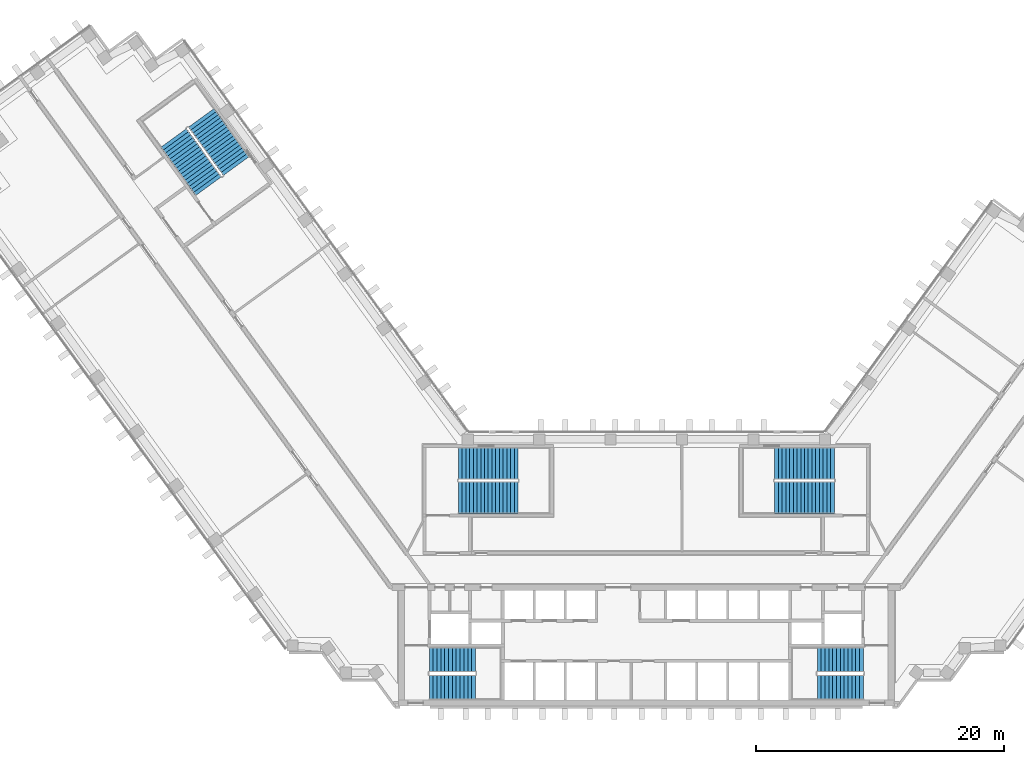
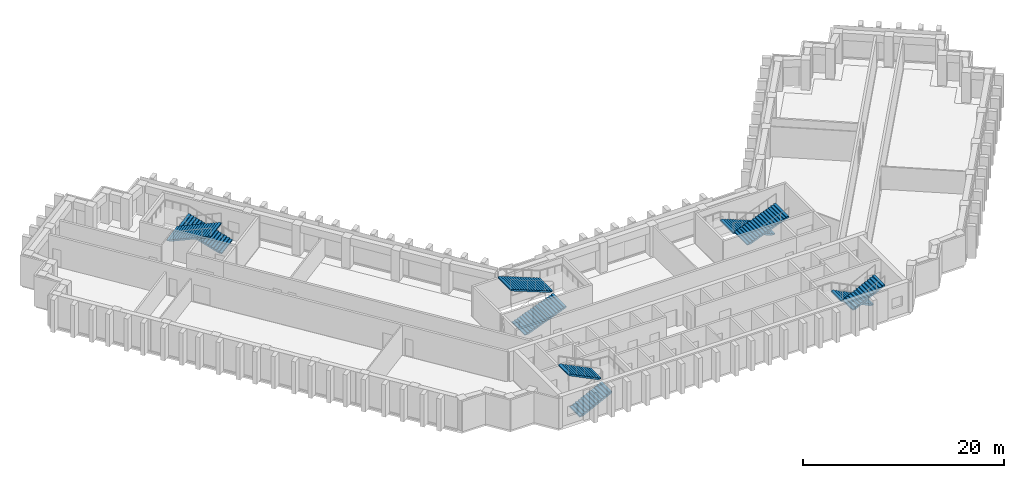
# One storey, part 9 of 11: 10 stair flights, 5 elements without a shape of their own.
"""IFC4 building model written with IfcOpenShell, lengths in metres."""

from ifc_helpers import new_model, si_unit, direction, frame, origin, place, context, subcontext, project, spatial, polyline, outline, extrude, material, type_object, element, aggregate, save


model = new_model("IFC4")

# Units and contexts
model_context = context("Model", 3, precision=1e-05, world=origin(), true_north=direction((0.0, 1.0)))
body_context = subcontext(model_context, "Body", "Model", "MODEL_VIEW")
ifc_project = project(units=[si_unit("LENGTHUNIT", "METRE"), si_unit("AREAUNIT", "SQUARE_METRE"), si_unit("VOLUMEUNIT", "CUBIC_METRE"), si_unit("PLANEANGLEUNIT", "RADIAN"), si_unit("MASSUNIT", "GRAM", prefix="KILO")], contexts=[model_context])

# Site, building, storey
site_placement = place(None, origin())
site = spatial("IfcSite", under=ifc_project, at=site_placement, CompositionType="ELEMENT")
building_placement = place(site_placement, origin())
building = spatial("IfcBuilding", under=site, at=building_placement, Name="Quipu Civic Tower", CompositionType="ELEMENT")
storey_placement = place(building_placement, frame((0.0, 0.0, 117.0)))
storey = spatial("IfcBuildingStorey", under=building, at=storey_placement, Name="L27", CompositionType="ELEMENT", Elevation=117.0)

# Stair, stair flights
ifc_material_1 = material(Name="Concrete C40/50", Category="concrete")
stair_type_1 = type_object("IfcStairType", Name="Half turn stair 2000", PredefinedType="HALF_TURN_STAIR", material=ifc_material_1)
stair_1_placement = place(storey_placement, origin())
stair_1 = element("IfcStair", 1, at=stair_1_placement, inside=storey, type_object=stair_type_1, Name="Exit stair 1", PredefinedType="HALF_TURN_STAIR")
ifc_material_2 = material(Name="Concrete C40/50", Category="concrete")
stair_flight_type_1 = type_object("IfcStairFlightType", Name="Stair flight 2000", PredefinedType="STRAIGHT", material=ifc_material_2)
stair_flight_1_placement = place(storey_placement, frame((-17.5, -9.5, 0.0), z_axis=(0.0, 0.0, 1.0), x_axis=(1.0, 0.0, 0.0)))
stair_flight_1 = element("IfcStairFlight", 2, at=stair_flight_1_placement, type_object=stair_flight_type_1, Name="ST-1 flight 1", NumberOfRisers=13, NumberOfTreads=12, PredefinedType="STRAIGHT", RiserHeight=0.153846154, TreadLength=0.31, context=body_context, shape_type="SweptSolid", body=[
    extrude(outline(polyline([(0.0, 0.0), (0.0, 0.15380859375), (0.31005859375, 0.15380859375), (0.31005859375, 0.3076171875), (0.6201171875, 0.3076171875), (0.6201171875, 0.46142578125), (0.929931640625, 0.46142578125), (0.929931640625, 0.615478515625), (1.239990234375, 0.615478515625), (1.239990234375, 0.769287109375), (1.550048828125, 0.769287109375), (1.550048828125, 0.923095703125), (1.860107421875, 0.923095703125), (1.860107421875, 1.076904296875), (2.169921875, 1.076904296875), (2.169921875, 1.230712890625), (2.47998046875, 1.230712890625), (2.47998046875, 1.384521484375), (2.7900390625, 1.384521484375), (2.7900390625, 1.53857421875), (3.10009765625, 1.53857421875), (3.10009765625, 1.6923828125), (3.409912109375, 1.6923828125), (3.409912109375, 1.84619140625), (3.719970703125, 1.84619140625), (3.719970703125, 2.0), (3.719970703125, 1.6787109375), (0.337158203125, 0.0), (0.0, 0.0)])), frame((0.0, 1.0, 0.0), z_axis=(0.0, -1.0, 0.0), x_axis=(1.0, 0.0, 0.0)), (0.0, 0.0, 1.0), 2.0),
])
stair_flight_2_placement = place(storey_placement, frame((-13.780029296875, -7.25, 2.0), z_axis=(0.0, 0.0, 1.0), x_axis=(-1.0, 0.0, 0.0)))
stair_flight_2 = element("IfcStairFlight", 3, at=stair_flight_2_placement, type_object=stair_flight_type_1, Name="ST-1 flight 2", NumberOfRisers=13, NumberOfTreads=12, PredefinedType="STRAIGHT", RiserHeight=0.153846154, TreadLength=0.31, context=body_context, shape_type="SweptSolid", body=[
    extrude(outline(polyline([(0.0, 0.0), (0.0, 0.15380859375), (0.31005859375, 0.15380859375), (0.31005859375, 0.3076171875), (0.6201171875, 0.3076171875), (0.6201171875, 0.46142578125), (0.929931640625, 0.46142578125), (0.929931640625, 0.615478515625), (1.239990234375, 0.615478515625), (1.239990234375, 0.769287109375), (1.550048828125, 0.769287109375), (1.550048828125, 0.923095703125), (1.860107421875, 0.923095703125), (1.860107421875, 1.076904296875), (2.169921875, 1.076904296875), (2.169921875, 1.230712890625), (2.47998046875, 1.230712890625), (2.47998046875, 1.384521484375), (2.7900390625, 1.384521484375), (2.7900390625, 1.53857421875), (3.10009765625, 1.53857421875), (3.10009765625, 1.6923828125), (3.409912109375, 1.6923828125), (3.409912109375, 1.84619140625), (3.719970703125, 1.84619140625), (3.719970703125, 2.0), (3.719970703125, 1.6787109375), (0.337158203125, 0.0), (0.0, 0.0)])), frame((0.0, 1.0, 0.0), z_axis=(0.0, -1.0, 0.0), x_axis=(1.0, 0.0, 0.0)), (0.0, 0.0, 1.0), 2.0),
])
aggregate(stair_1, [stair_flight_1, stair_flight_2])

stair_2_placement = place(storey_placement, origin())
stair_2 = element("IfcStair", 4, at=stair_2_placement, inside=storey, type_object=stair_type_1, Name="Exit stair 2", PredefinedType="HALF_TURN_STAIR")
stair_flight_3_placement = place(storey_placement, frame((17.5, -7.25, 0.0), z_axis=(0.0, 0.0, 1.0), x_axis=(-1.0, 0.0, 0.0)))
stair_flight_3 = element("IfcStairFlight", 5, at=stair_flight_3_placement, type_object=stair_flight_type_1, Name="ST-2 flight 1", NumberOfRisers=13, NumberOfTreads=12, PredefinedType="STRAIGHT", RiserHeight=0.153846154, TreadLength=0.31, context=body_context, shape_type="SweptSolid", body=[
    extrude(outline(polyline([(0.0, 0.0), (0.0, 0.15380859375), (0.31005859375, 0.15380859375), (0.31005859375, 0.3076171875), (0.6201171875, 0.3076171875), (0.6201171875, 0.46142578125), (0.929931640625, 0.46142578125), (0.929931640625, 0.615478515625), (1.239990234375, 0.615478515625), (1.239990234375, 0.769287109375), (1.550048828125, 0.769287109375), (1.550048828125, 0.923095703125), (1.860107421875, 0.923095703125), (1.860107421875, 1.076904296875), (2.169921875, 1.076904296875), (2.169921875, 1.230712890625), (2.47998046875, 1.230712890625), (2.47998046875, 1.384521484375), (2.7900390625, 1.384521484375), (2.7900390625, 1.53857421875), (3.10009765625, 1.53857421875), (3.10009765625, 1.6923828125), (3.409912109375, 1.6923828125), (3.409912109375, 1.84619140625), (3.719970703125, 1.84619140625), (3.719970703125, 2.0), (3.719970703125, 1.6787109375), (0.337158203125, 0.0), (0.0, 0.0)])), frame((0.0, 1.0, 0.0), z_axis=(0.0, -1.0, 0.0), x_axis=(1.0, 0.0, 0.0)), (0.0, 0.0, 1.0), 2.0),
])
stair_flight_4_placement = place(storey_placement, frame((13.780029296875, -9.5, 2.0), z_axis=(0.0, 0.0, 1.0), x_axis=(1.0, 0.0, 0.0)))
stair_flight_4 = element("IfcStairFlight", 6, at=stair_flight_4_placement, type_object=stair_flight_type_1, Name="ST-2 flight 2", NumberOfRisers=13, NumberOfTreads=12, PredefinedType="STRAIGHT", RiserHeight=0.153846154, TreadLength=0.31, context=body_context, shape_type="SweptSolid", body=[
    extrude(outline(polyline([(0.0, 0.0), (0.0, 0.15380859375), (0.31005859375, 0.15380859375), (0.31005859375, 0.3076171875), (0.6201171875, 0.3076171875), (0.6201171875, 0.46142578125), (0.929931640625, 0.46142578125), (0.929931640625, 0.615478515625), (1.239990234375, 0.615478515625), (1.239990234375, 0.769287109375), (1.550048828125, 0.769287109375), (1.550048828125, 0.923095703125), (1.860107421875, 0.923095703125), (1.860107421875, 1.076904296875), (2.169921875, 1.076904296875), (2.169921875, 1.230712890625), (2.47998046875, 1.230712890625), (2.47998046875, 1.384521484375), (2.7900390625, 1.384521484375), (2.7900390625, 1.53857421875), (3.10009765625, 1.53857421875), (3.10009765625, 1.6923828125), (3.409912109375, 1.6923828125), (3.409912109375, 1.84619140625), (3.719970703125, 1.84619140625), (3.719970703125, 2.0), (3.719970703125, 1.6787109375), (0.337158203125, 0.0), (0.0, 0.0)])), frame((0.0, 1.0, 0.0), z_axis=(0.0, -1.0, 0.0), x_axis=(1.0, 0.0, 0.0)), (0.0, 0.0, 1.0), 2.0),
])
aggregate(stair_2, [stair_flight_3, stair_flight_4])

ifc_material_3 = material(Name="Concrete C40/50", Category="concrete")
stair_type_2 = type_object("IfcStairType", Name="Half turn stair 2600", PredefinedType="HALF_TURN_STAIR", material=ifc_material_3)
stair_3_placement = place(storey_placement, origin())
stair_3 = element("IfcStair", 7, at=stair_3_placement, inside=storey, type_object=stair_type_2, Name="Exit stair 3", PredefinedType="HALF_TURN_STAIR")
ifc_material_4 = material(Name="Concrete C40/50", Category="concrete")
stair_flight_type_2 = type_object("IfcStairFlightType", Name="Stair flight 2600", PredefinedType="STRAIGHT", material=ifc_material_4)
stair_flight_5_placement = place(storey_placement, frame((-15.14990234375, 5.800048828125, 0.0), z_axis=(0.0, 0.0, 1.0), x_axis=(1.0, 0.0, 0.0)))
stair_flight_5 = element("IfcStairFlight", 8, at=stair_flight_5_placement, type_object=stair_flight_type_2, Name="ST-3 flight 1", NumberOfRisers=17, NumberOfTreads=16, PredefinedType="STRAIGHT", RiserHeight=0.117647059, TreadLength=0.3, context=body_context, shape_type="SweptSolid", body=[
    extrude(outline(polyline([(0.0, 0.0), (0.0, 0.11767578125), (0.300048828125, 0.11767578125), (0.300048828125, 0.2353515625), (0.60009765625, 0.2353515625), (0.60009765625, 0.35302734375), (0.89990234375, 0.35302734375), (0.89990234375, 0.470703125), (1.199951171875, 0.470703125), (1.199951171875, 0.588134765625), (1.5, 0.588134765625), (1.5, 0.705810546875), (1.800048828125, 0.705810546875), (1.800048828125, 0.823486328125), (2.10009765625, 0.823486328125), (2.10009765625, 0.941162109375), (2.39990234375, 0.941162109375), (2.39990234375, 1.058837890625), (2.699951171875, 1.058837890625), (2.699951171875, 1.176513671875), (3.0, 1.176513671875), (3.0, 1.294189453125), (3.300048828125, 1.294189453125), (3.300048828125, 1.411865234375), (3.60009765625, 1.411865234375), (3.60009765625, 1.529296875), (3.89990234375, 1.529296875), (3.89990234375, 1.64697265625), (4.199951171875, 1.64697265625), (4.199951171875, 1.7646484375), (4.5, 1.7646484375), (4.5, 1.88232421875), (4.800048828125, 1.88232421875), (4.800048828125, 2.0), (4.800048828125, 1.721435546875), (0.41064453125, 0.0), (0.0, 0.0)])), frame((0.0, 1.300048828125, 0.0), z_axis=(0.0, -1.0, 0.0), x_axis=(1.0, 0.0, 0.0)), (0.0, 0.0, 1.0), 2.60009765625),
])
stair_flight_6_placement = place(storey_placement, frame((-10.35009765625, 8.550048828125, 2.0), z_axis=(0.0, 0.0, 1.0), x_axis=(-1.0, 0.0, 0.0)))
stair_flight_6 = element("IfcStairFlight", 9, at=stair_flight_6_placement, type_object=stair_flight_type_2, Name="ST-3 flight 2", NumberOfRisers=17, NumberOfTreads=16, PredefinedType="STRAIGHT", RiserHeight=0.117647059, TreadLength=0.3, context=body_context, shape_type="SweptSolid", body=[
    extrude(outline(polyline([(0.0, 0.0), (0.0, 0.11767578125), (0.300048828125, 0.11767578125), (0.300048828125, 0.2353515625), (0.60009765625, 0.2353515625), (0.60009765625, 0.35302734375), (0.89990234375, 0.35302734375), (0.89990234375, 0.470703125), (1.199951171875, 0.470703125), (1.199951171875, 0.588134765625), (1.5, 0.588134765625), (1.5, 0.705810546875), (1.800048828125, 0.705810546875), (1.800048828125, 0.823486328125), (2.10009765625, 0.823486328125), (2.10009765625, 0.941162109375), (2.39990234375, 0.941162109375), (2.39990234375, 1.058837890625), (2.699951171875, 1.058837890625), (2.699951171875, 1.176513671875), (3.0, 1.176513671875), (3.0, 1.294189453125), (3.300048828125, 1.294189453125), (3.300048828125, 1.411865234375), (3.60009765625, 1.411865234375), (3.60009765625, 1.529296875), (3.89990234375, 1.529296875), (3.89990234375, 1.64697265625), (4.199951171875, 1.64697265625), (4.199951171875, 1.7646484375), (4.5, 1.7646484375), (4.5, 1.88232421875), (4.800048828125, 1.88232421875), (4.800048828125, 2.0), (4.800048828125, 1.721435546875), (0.41064453125, 0.0), (0.0, 0.0)])), frame((0.0, 1.300048828125, 0.0), z_axis=(0.0, -1.0, 0.0), x_axis=(1.0, 0.0, 0.0)), (0.0, 0.0, 1.0), 2.60009765625),
])
aggregate(stair_3, [stair_flight_5, stair_flight_6])

stair_4_placement = place(storey_placement, origin())
stair_4 = element("IfcStair", 10, at=stair_4_placement, inside=storey, type_object=stair_type_2, Name="Exit stair 4", PredefinedType="HALF_TURN_STAIR")
stair_flight_7_placement = place(storey_placement, frame((15.14990234375, 8.550048828125, 0.0), z_axis=(0.0, 0.0, 1.0), x_axis=(-1.0, 0.0, 0.0)))
stair_flight_7 = element("IfcStairFlight", 11, at=stair_flight_7_placement, type_object=stair_flight_type_2, Name="ST-4 flight 1", NumberOfRisers=17, NumberOfTreads=16, PredefinedType="STRAIGHT", RiserHeight=0.117647059, TreadLength=0.3, context=body_context, shape_type="SweptSolid", body=[
    extrude(outline(polyline([(0.0, 0.0), (0.0, 0.11767578125), (0.300048828125, 0.11767578125), (0.300048828125, 0.2353515625), (0.60009765625, 0.2353515625), (0.60009765625, 0.35302734375), (0.89990234375, 0.35302734375), (0.89990234375, 0.470703125), (1.199951171875, 0.470703125), (1.199951171875, 0.588134765625), (1.5, 0.588134765625), (1.5, 0.705810546875), (1.800048828125, 0.705810546875), (1.800048828125, 0.823486328125), (2.10009765625, 0.823486328125), (2.10009765625, 0.941162109375), (2.39990234375, 0.941162109375), (2.39990234375, 1.058837890625), (2.699951171875, 1.058837890625), (2.699951171875, 1.176513671875), (3.0, 1.176513671875), (3.0, 1.294189453125), (3.300048828125, 1.294189453125), (3.300048828125, 1.411865234375), (3.60009765625, 1.411865234375), (3.60009765625, 1.529296875), (3.89990234375, 1.529296875), (3.89990234375, 1.64697265625), (4.199951171875, 1.64697265625), (4.199951171875, 1.7646484375), (4.5, 1.7646484375), (4.5, 1.88232421875), (4.800048828125, 1.88232421875), (4.800048828125, 2.0), (4.800048828125, 1.721435546875), (0.41064453125, 0.0), (0.0, 0.0)])), frame((0.0, 1.300048828125, 0.0), z_axis=(0.0, -1.0, 0.0), x_axis=(1.0, 0.0, 0.0)), (0.0, 0.0, 1.0), 2.60009765625),
])
stair_flight_8_placement = place(storey_placement, frame((10.35009765625, 5.800048828125, 2.0), z_axis=(0.0, 0.0, 1.0), x_axis=(1.0, 0.0, 0.0)))
stair_flight_8 = element("IfcStairFlight", 12, at=stair_flight_8_placement, type_object=stair_flight_type_2, Name="ST-4 flight 2", NumberOfRisers=17, NumberOfTreads=16, PredefinedType="STRAIGHT", RiserHeight=0.117647059, TreadLength=0.3, context=body_context, shape_type="SweptSolid", body=[
    extrude(outline(polyline([(0.0, 0.0), (0.0, 0.11767578125), (0.300048828125, 0.11767578125), (0.300048828125, 0.2353515625), (0.60009765625, 0.2353515625), (0.60009765625, 0.35302734375), (0.89990234375, 0.35302734375), (0.89990234375, 0.470703125), (1.199951171875, 0.470703125), (1.199951171875, 0.588134765625), (1.5, 0.588134765625), (1.5, 0.705810546875), (1.800048828125, 0.705810546875), (1.800048828125, 0.823486328125), (2.10009765625, 0.823486328125), (2.10009765625, 0.941162109375), (2.39990234375, 0.941162109375), (2.39990234375, 1.058837890625), (2.699951171875, 1.058837890625), (2.699951171875, 1.176513671875), (3.0, 1.176513671875), (3.0, 1.294189453125), (3.300048828125, 1.294189453125), (3.300048828125, 1.411865234375), (3.60009765625, 1.411865234375), (3.60009765625, 1.529296875), (3.89990234375, 1.529296875), (3.89990234375, 1.64697265625), (4.199951171875, 1.64697265625), (4.199951171875, 1.7646484375), (4.5, 1.7646484375), (4.5, 1.88232421875), (4.800048828125, 1.88232421875), (4.800048828125, 2.0), (4.800048828125, 1.721435546875), (0.41064453125, 0.0), (0.0, 0.0)])), frame((0.0, 1.300048828125, 0.0), z_axis=(0.0, -1.0, 0.0), x_axis=(1.0, 0.0, 0.0)), (0.0, 0.0, 1.0), 2.60009765625),
])
aggregate(stair_4, [stair_flight_7, stair_flight_8])

stair_5_placement = place(storey_placement, origin())
stair_5 = element("IfcStair", 13, at=stair_5_placement, inside=storey, type_object=stair_type_2, Name="Exit stair 6", PredefinedType="HALF_TURN_STAIR")
stair_flight_9_placement = place(storey_placement, frame((-33.067626953125, 32.5322265625, 0.0), z_axis=(0.0, 0.0, 1.0), x_axis=(-0.587785252292, 0.809016994375, 0.0)))
stair_flight_9 = element("IfcStairFlight", 14, at=stair_flight_9_placement, type_object=stair_flight_type_2, Name="ST-6 flight 1", NumberOfRisers=17, NumberOfTreads=16, PredefinedType="STRAIGHT", RiserHeight=0.117647059, TreadLength=0.3, context=body_context, shape_type="SweptSolid", body=[
    extrude(outline(polyline([(0.0, 0.0), (0.0, 0.11767578125), (0.300048828125, 0.11767578125), (0.300048828125, 0.2353515625), (0.60009765625, 0.2353515625), (0.60009765625, 0.35302734375), (0.89990234375, 0.35302734375), (0.89990234375, 0.470703125), (1.199951171875, 0.470703125), (1.199951171875, 0.588134765625), (1.5, 0.588134765625), (1.5, 0.705810546875), (1.800048828125, 0.705810546875), (1.800048828125, 0.823486328125), (2.10009765625, 0.823486328125), (2.10009765625, 0.941162109375), (2.39990234375, 0.941162109375), (2.39990234375, 1.058837890625), (2.699951171875, 1.058837890625), (2.699951171875, 1.176513671875), (3.0, 1.176513671875), (3.0, 1.294189453125), (3.300048828125, 1.294189453125), (3.300048828125, 1.411865234375), (3.60009765625, 1.411865234375), (3.60009765625, 1.529296875), (3.89990234375, 1.529296875), (3.89990234375, 1.64697265625), (4.199951171875, 1.64697265625), (4.199951171875, 1.7646484375), (4.5, 1.7646484375), (4.5, 1.88232421875), (4.800048828125, 1.88232421875), (4.800048828125, 2.0), (4.800048828125, 1.721435546875), (0.41064453125, 0.0), (0.0, 0.0)])), frame((0.0, 1.300048828125, 0.0), z_axis=(0.0, -1.0, 0.0), x_axis=(1.0, 0.0, 0.0)), (0.0, 0.0, 1.0), 2.60009765625),
])
stair_flight_10_placement = place(storey_placement, frame((-38.11376953125, 34.799072265625, 2.0), z_axis=(0.0, 0.0, 1.0), x_axis=(0.587785252292, -0.809016994375, 0.0)))
stair_flight_10 = element("IfcStairFlight", 15, at=stair_flight_10_placement, type_object=stair_flight_type_2, Name="ST-6 flight 2", NumberOfRisers=17, NumberOfTreads=16, PredefinedType="STRAIGHT", RiserHeight=0.117647059, TreadLength=0.3, context=body_context, shape_type="SweptSolid", body=[
    extrude(outline(polyline([(0.0, 0.0), (0.0, 0.11767578125), (0.300048828125, 0.11767578125), (0.300048828125, 0.2353515625), (0.60009765625, 0.2353515625), (0.60009765625, 0.35302734375), (0.89990234375, 0.35302734375), (0.89990234375, 0.470703125), (1.199951171875, 0.470703125), (1.199951171875, 0.588134765625), (1.5, 0.588134765625), (1.5, 0.705810546875), (1.800048828125, 0.705810546875), (1.800048828125, 0.823486328125), (2.10009765625, 0.823486328125), (2.10009765625, 0.941162109375), (2.39990234375, 0.941162109375), (2.39990234375, 1.058837890625), (2.699951171875, 1.058837890625), (2.699951171875, 1.176513671875), (3.0, 1.176513671875), (3.0, 1.294189453125), (3.300048828125, 1.294189453125), (3.300048828125, 1.411865234375), (3.60009765625, 1.411865234375), (3.60009765625, 1.529296875), (3.89990234375, 1.529296875), (3.89990234375, 1.64697265625), (4.199951171875, 1.64697265625), (4.199951171875, 1.7646484375), (4.5, 1.7646484375), (4.5, 1.88232421875), (4.800048828125, 1.88232421875), (4.800048828125, 2.0), (4.800048828125, 1.721435546875), (0.41064453125, 0.0), (0.0, 0.0)])), frame((0.0, 1.300048828125, 0.0), z_axis=(0.0, -1.0, 0.0), x_axis=(1.0, 0.0, 0.0)), (0.0, 0.0, 1.0), 2.60009765625),
])
aggregate(stair_5, [stair_flight_9, stair_flight_10])

save(model, "model.ifc")
